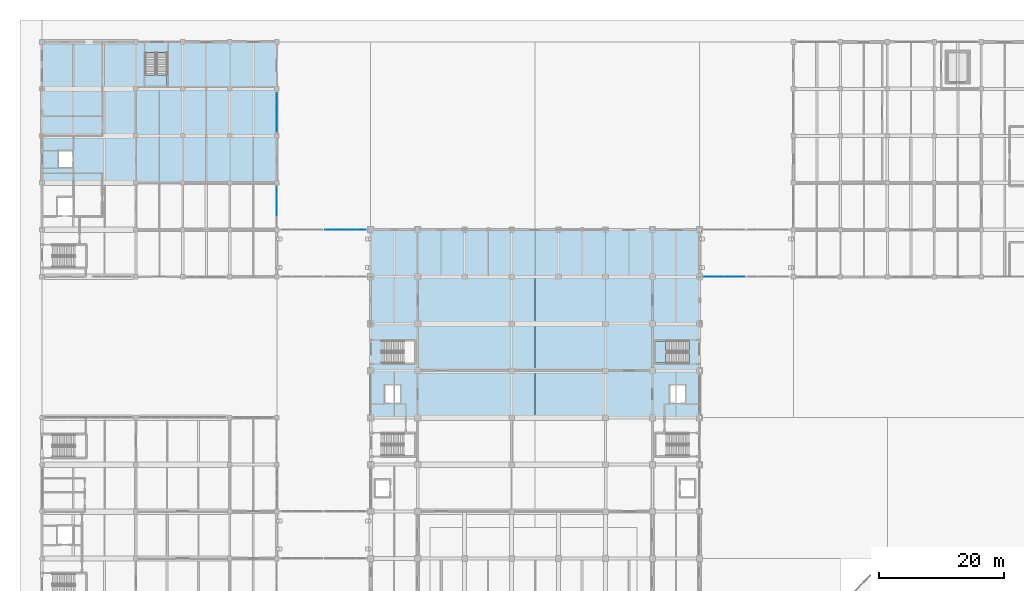
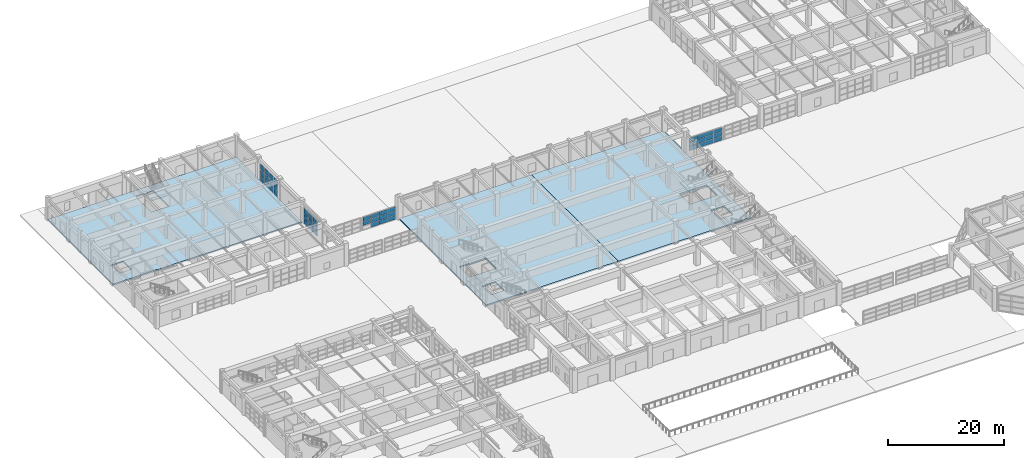
# One storey, part 77 of 122: 44 plates, 5 slabs, 6 elements without a shape of their own.
"""IFC4 building model written with IfcOpenShell, lengths in metres."""

import ifcopenshell
import ifcopenshell.guid

model = None  # the IFC model being written
_history = None  # IfcOwnerHistory: only IFC2X3 demands one
_inside = {}  # id of a spatial element -> (the spatial element, [elements in it])
_under = {}  # id of a project, library or spatial element -> (it, [spatial elements below it])
_declared = {}  # id of a project -> (the project, [libraries it declares])
_typed = {}  # id of a type object -> (the type object, [elements of that type])
_made_of = {}  # id of a material, layer set ... -> (it, [elements and type objects made of it])


def new_model(schema):
    """Start an empty IFC model of exactly this schema.

    Asked for "IFC4X3", IfcOpenShell would pick the latest addendum, in which some entities
    have other attributes; the version numbers below select the first issue.
    IFC2X3 requires an IfcOwnerHistory on every rooted entity: one is made here for all.
    """
    global model, _history
    if schema == "IFC4X3":
        model = ifcopenshell.file(schema_version=(4, 3, 0, 0))
    else:
        model = ifcopenshell.file(schema=schema)
    _inside.clear()
    _under.clear()
    _declared.clear()
    _typed.clear()
    _made_of.clear()
    _history = None
    if model.schema == "IFC2X3":
        org = make("IfcOrganization", Name="unknown")
        user = make(
            "IfcPersonAndOrganization",
            ThePerson=make("IfcPerson", FamilyName="unknown"),
            TheOrganization=org,
        )
        app = make(
            "IfcApplication",
            ApplicationDeveloper=org,
            Version="unknown",
            ApplicationFullName="unknown",
            ApplicationIdentifier="unknown",
        )
        _history = make(
            "IfcOwnerHistory",
            OwningUser=user,
            OwningApplication=app,
            ChangeAction="ADDED",
            CreationDate=0,
        )
    return model


def make(cls, **values):
    """One entity of the class cls with the attributes given. An attribute that is None is left unset."""
    return model.create_entity(
        cls, **{name: value for name, value in values.items() if value is not None}
    )


def rooted(cls, **values):
    """An entity with a GlobalId (a new one), such as an element, a storey or a relation."""
    return make(cls, GlobalId=ifcopenshell.guid.new(), OwnerHistory=_history, **values)


def si_unit(unit_type, name, prefix=None):
    """IfcSIUnit, for example si_unit("LENGTHUNIT", "METRE", prefix="MILLI")."""
    return make("IfcSIUnit", UnitType=unit_type, Prefix=prefix, Name=name)


def assignment(units):
    """IfcUnitAssignment: the units of a project."""
    return None if units is None else make("IfcUnitAssignment", Units=units)


def point(xyz):
    """IfcCartesianPoint."""
    return None if xyz is None else make("IfcCartesianPoint", Coordinates=xyz)


def direction(xyz):
    """IfcDirection."""
    return None if xyz is None else make("IfcDirection", DirectionRatios=xyz)


def frame(location, z_axis=None, x_axis=None):
    """IfcAxis2Placement3D, a coordinate frame: its origin and axes. An axis left out is left unset."""
    return make(
        "IfcAxis2Placement3D",
        Location=point(location),
        Axis=direction(z_axis),
        RefDirection=direction(x_axis),
    )


def frame_2d(location, x_axis=None):
    """IfcAxis2Placement2D, a coordinate frame in the plane: its origin and x axis."""
    return make(
        "IfcAxis2Placement2D", Location=point(location), RefDirection=direction(x_axis)
    )


def origin():
    """The frame at (0, 0, 0) with its axes left unset."""
    return frame((0.0, 0.0, 0.0))


def origin_2d():
    """The frame at (0, 0) in the plane with its x axis left unset."""
    return frame_2d((0.0, 0.0))


def place(relative_to, where):
    """IfcLocalPlacement: puts the frame where relative to a parent placement (None: the world)."""
    return make(
        "IfcLocalPlacement", PlacementRelTo=relative_to, RelativePlacement=where
    )


def context(
    kind, dimensions, precision=None, world=None, true_north=None, identifier=None
):
    """IfcGeometricRepresentationContext, for example the 3D "Model" context."""
    return make(
        "IfcGeometricRepresentationContext",
        ContextIdentifier=identifier,
        ContextType=kind,
        CoordinateSpaceDimension=dimensions,
        Precision=precision,
        WorldCoordinateSystem=world,
        TrueNorth=true_north,
    )


def subcontext(parent, identifier, kind, view, scale=None):
    """IfcGeometricRepresentationSubContext, for example "Body" below "Model"."""
    return make(
        "IfcGeometricRepresentationSubContext",
        ContextIdentifier=identifier,
        ContextType=kind,
        ParentContext=parent,
        TargetScale=scale,
        TargetView=view,
    )


def project(units=None, contexts=None):
    """IfcProject with its units and contexts."""
    return rooted(
        "IfcProject",
        Name="project",
        RepresentationContexts=contexts,
        UnitsInContext=assignment(units),
    )


def spatial(cls, under=None, at=None, **own):
    """A site, building, storey or space (cls), placed at a placement, below another one or the project."""
    s = rooted(cls, ObjectPlacement=at, **own)
    if under is not None:
        _under.setdefault(under.id(), (under, []))[1].append(s)
    return s


def polyline(points):
    """IfcPolyline through the points."""
    return make("IfcPolyline", Points=[point(p) for p in points])


def profile(cls, at=None, kind="AREA", **sizes):
    """A parametric profile (cls). Its sizes go by their IFC names, for example OverallWidth=200.0."""
    return make(cls, ProfileType=kind, Position=at, **sizes)


def rectangle(**sizes):
    """IfcRectangleProfileDef."""
    return profile("IfcRectangleProfileDef", **sizes)


def outline(outer, holes=None, kind="AREA"):
    """IfcArbitraryClosedProfileDef: a profile drawn as a closed curve; with holes, ...WithVoids."""
    if holes is None:
        return make("IfcArbitraryClosedProfileDef", ProfileType=kind, OuterCurve=outer)
    return make(
        "IfcArbitraryProfileDefWithVoids",
        ProfileType=kind,
        OuterCurve=outer,
        InnerCurves=holes,
    )


def extrude(swept, where, along, depth):
    """IfcExtrudedAreaSolid: the profile swept, set in the frame where, extruded along a direction by depth."""
    return make(
        "IfcExtrudedAreaSolid",
        SweptArea=swept,
        Position=where,
        ExtrudedDirection=direction(along),
        Depth=depth,
    )


def shape(context_of_items, identifier, shape_type, items):
    """IfcShapeRepresentation: the items that make up one representation, for example the "Body"."""
    return make(
        "IfcShapeRepresentation",
        ContextOfItems=context_of_items,
        RepresentationIdentifier=identifier,
        RepresentationType=shape_type,
        Items=items,
    )


def material(Name=None, Category=None):
    """IfcMaterial."""
    return make("IfcMaterial", Name=Name, Category=Category)


def layer(
    of_material, thickness, ventilated=None, Name=None, Category=None, Priority=None
):
    """IfcMaterialLayer: one layer of a wall or slab, of a material (None: an air gap)."""
    return make(
        "IfcMaterialLayer",
        Material=of_material,
        LayerThickness=thickness,
        IsVentilated=ventilated,
        Name=Name,
        Category=Category,
        Priority=Priority,
    )


def layer_set(layers, Name=None):
    """IfcMaterialLayerSet."""
    return make("IfcMaterialLayerSet", MaterialLayers=layers, LayerSetName=Name)


def made_of(thing, what):
    """Note that an element or type object is made of a material, layer set ...; save() writes the relation."""
    if what is not None:
        _made_of.setdefault(what.id(), (what, []))[1].append(thing)
    return thing


def type_object(cls, material=None, **own):
    """A type object (cls), such as IfcWallType, which elements share."""
    return made_of(rooted(cls, **own), material)


def element(
    cls,
    number,
    at=None,
    inside=None,
    cuts=None,
    type_object=None,
    material=None,
    context=None,
    identifier="Body",
    shape_type=None,
    held_by="IfcProductDefinitionShape",
    body=None,
    shapes=None,
    **own,
):
    """One element of the class cls, such as IfcWall. Its Tag is "e" and its number.

    at: its placement. inside: the storey or other place that contains it. cuts: it is an
    opening in that element (IfcRelVoidsElement). A single representation is given by context,
    identifier, shape_type and body (its items); several are given by shapes. held_by: the class
    of the entity that holds the representations. save() writes the other relations.
    """
    e = rooted(cls, Tag="e%d" % number, ObjectPlacement=at, **own)
    if body is not None:
        shapes = [shape(context, identifier, shape_type, body)]
    if shapes is not None:
        e.Representation = make(held_by, Representations=shapes)
    if inside is not None:
        _inside.setdefault(inside.id(), (inside, []))[1].append(e)
    if cuts is not None:
        rooted(
            "IfcRelVoidsElement", RelatingBuildingElement=cuts, RelatedOpeningElement=e
        )
    if type_object is not None:
        _typed.setdefault(type_object.id(), (type_object, []))[1].append(e)
    return made_of(e, material)


def aggregate(whole, parts):
    """IfcRelAggregates: a whole, such as a stair, and the parts it consists of."""
    return rooted("IfcRelAggregates", RelatingObject=whole, RelatedObjects=parts)


def save(model, path):
    """Write the relations noted so far, then the file.

    IfcRelAggregates (storeys below a building ...), IfcRelContainedInSpatialStructure (elements
    in a storey), IfcRelDefinesByType, IfcRelAssociatesMaterial and IfcRelDeclares: one each for
    every whole, place, type object, material and project.
    """
    for whole, parts in _under.values():
        aggregate(whole, parts)
    for where, things in _inside.values():
        rooted(
            "IfcRelContainedInSpatialStructure",
            RelatedElements=things,
            RelatingStructure=where,
        )
    for kind, things in _typed.values():
        rooted("IfcRelDefinesByType", RelatedObjects=things, RelatingType=kind)
    for what, things in _made_of.values():
        rooted("IfcRelAssociatesMaterial", RelatedObjects=things, RelatingMaterial=what)
    for by, libraries in _declared.values():
        rooted("IfcRelDeclares", RelatingContext=by, RelatedDefinitions=libraries)
    model.write(path)


model = new_model("IFC4")

# Units and contexts
model_context = context("Model", 3, precision=1e-05, world=origin(), true_north=direction((0.0, 1.0)))
body_context = subcontext(model_context, "Body", "Model", "MODEL_VIEW")
ifc_project = project(units=[si_unit("LENGTHUNIT", "METRE"), si_unit("AREAUNIT", "SQUARE_METRE"), si_unit("VOLUMEUNIT", "CUBIC_METRE"), si_unit("PLANEANGLEUNIT", "RADIAN"), si_unit("MASSUNIT", "GRAM", prefix="KILO")], contexts=[model_context])

# Site, building, storey
site_placement = place(None, origin())
site = spatial("IfcSite", under=ifc_project, at=site_placement, CompositionType="ELEMENT")
building_placement = place(site_placement, origin())
building = spatial("IfcBuilding", under=site, at=building_placement, Name="Qasida Concert Hall", CompositionType="ELEMENT")
storey_placement = place(building_placement, origin())
storey = spatial("IfcBuildingStorey", under=building, at=storey_placement, Name="L00", CompositionType="ELEMENT", Elevation=0.0)

# Curtain wall, plates
ifc_material_1 = material(Name="Architectural bronze-anodized aluminium and low-E glass", Category="aluminium")
curtain_wall_type = type_object("IfcCurtainWallType", Name="CW-08", PredefinedType="NOTDEFINED", material=ifc_material_1)
curtain_wall_1_placement = place(storey_placement, origin())
curtain_wall_1 = element("IfcCurtainWall", 1, at=curtain_wall_1_placement, inside=storey, type_object=curtain_wall_type, Name="L00 curtain wall CW-08 0182", PredefinedType="NOTDEFINED")
ifc_material_2 = material(Name="Solar-control low-E double glazing", Category="glass")
ifc_layer_1 = layer(ifc_material_2, 0.02392578125, Name="Solar-control low-E double glazing")
ifc_layer_set_1 = layer_set([ifc_layer_1], Name="Solar-control low-E double glazing")
plate_type = type_object("IfcPlateType", Name="PLT-CWP-5", PredefinedType="CURTAIN_PANEL", material=ifc_layer_set_1)
plate_1_placement = place(storey_placement, frame((37.5, 85.467529296875, 0.06005859375), z_axis=(0.0, 0.0, 1.0), x_axis=(0.0, 1.0, 0.0)))
plate_1 = element("IfcPlate", 2, at=plate_1_placement, type_object=plate_type, Name="CW-08 panel 2.1", PredefinedType="CURTAIN_PANEL", context=body_context, shape_type="SweptSolid", body=[
    extrude(rectangle(XDim=1.5, YDim=0.02392578125, at=origin_2d()), origin(), (0.0, 0.0, 1.0), 1.050048828125),
])
plate_2_placement = place(storey_placement, frame((37.5, 85.467529296875, 1.169921875), z_axis=(0.0, 0.0, 1.0), x_axis=(0.0, 1.0, 0.0)))
plate_2 = element("IfcPlate", 3, at=plate_2_placement, type_object=plate_type, Name="CW-08 panel 2.2", PredefinedType="CURTAIN_PANEL", context=body_context, shape_type="SweptSolid", body=[
    extrude(rectangle(XDim=1.5, YDim=0.02392578125, at=origin_2d()), origin(), (0.0, 0.0, 1.0), 1.080078125),
])
plate_3_placement = place(storey_placement, frame((37.5, 85.467529296875, 2.31005859375), z_axis=(0.0, 0.0, 1.0), x_axis=(0.0, 1.0, 0.0)))
plate_3 = element("IfcPlate", 4, at=plate_3_placement, type_object=plate_type, Name="CW-08 panel 2.3", PredefinedType="CURTAIN_PANEL", context=body_context, shape_type="SweptSolid", body=[
    extrude(rectangle(XDim=1.5, YDim=0.02392578125, at=origin_2d()), origin(), (0.0, 0.0, 1.0), 1.050048828125),
])
plate_4_placement = place(storey_placement, frame((37.5, 87.032470703125, 0.06005859375), z_axis=(0.0, 0.0, 1.0), x_axis=(0.0, 1.0, 0.0)))
plate_4 = element("IfcPlate", 5, at=plate_4_placement, type_object=plate_type, Name="CW-08 panel 3.1", PredefinedType="CURTAIN_PANEL", context=body_context, shape_type="SweptSolid", body=[
    extrude(rectangle(XDim=1.5, YDim=0.02392578125, at=origin_2d()), origin(), (0.0, 0.0, 1.0), 1.050048828125),
])
plate_5_placement = place(storey_placement, frame((37.5, 87.032470703125, 1.169921875), z_axis=(0.0, 0.0, 1.0), x_axis=(0.0, 1.0, 0.0)))
plate_5 = element("IfcPlate", 6, at=plate_5_placement, type_object=plate_type, Name="CW-08 panel 3.2", PredefinedType="CURTAIN_PANEL", context=body_context, shape_type="SweptSolid", body=[
    extrude(rectangle(XDim=1.5, YDim=0.02392578125, at=origin_2d()), origin(), (0.0, 0.0, 1.0), 1.080078125),
])
plate_6_placement = place(storey_placement, frame((37.5, 87.032470703125, 2.31005859375), z_axis=(0.0, 0.0, 1.0), x_axis=(0.0, 1.0, 0.0)))
plate_6 = element("IfcPlate", 7, at=plate_6_placement, type_object=plate_type, Name="CW-08 panel 3.3", PredefinedType="CURTAIN_PANEL", context=body_context, shape_type="SweptSolid", body=[
    extrude(rectangle(XDim=1.5, YDim=0.02392578125, at=origin_2d()), origin(), (0.0, 0.0, 1.0), 1.050048828125),
])
plate_7_placement = place(storey_placement, frame((37.5, 88.581298828125, 0.06005859375), z_axis=(0.0, 0.0, 1.0), x_axis=(0.0, 1.0, 0.0)))
plate_7 = element("IfcPlate", 8, at=plate_7_placement, type_object=plate_type, Name="CW-08 panel 4.1", PredefinedType="CURTAIN_PANEL", context=body_context, shape_type="SweptSolid", body=[
    extrude(rectangle(XDim=1.467529296875, YDim=0.02392578125, at=origin_2d()), origin(), (0.0, 0.0, 1.0), 1.050048828125),
])
plate_8_placement = place(storey_placement, frame((37.5, 88.581298828125, 1.169921875), z_axis=(0.0, 0.0, 1.0), x_axis=(0.0, 1.0, 0.0)))
plate_8 = element("IfcPlate", 9, at=plate_8_placement, type_object=plate_type, Name="CW-08 panel 4.2", PredefinedType="CURTAIN_PANEL", context=body_context, shape_type="SweptSolid", body=[
    extrude(rectangle(XDim=1.467529296875, YDim=0.02392578125, at=origin_2d()), origin(), (0.0, 0.0, 1.0), 1.080078125),
])
plate_9_placement = place(storey_placement, frame((37.5, 88.581298828125, 2.31005859375), z_axis=(0.0, 0.0, 1.0), x_axis=(0.0, 1.0, 0.0)))
plate_9 = element("IfcPlate", 10, at=plate_9_placement, type_object=plate_type, Name="CW-08 panel 4.3", PredefinedType="CURTAIN_PANEL", context=body_context, shape_type="SweptSolid", body=[
    extrude(rectangle(XDim=1.467529296875, YDim=0.02392578125, at=origin_2d()), origin(), (0.0, 0.0, 1.0), 1.050048828125),
])
aggregate(curtain_wall_1, [plate_1, plate_2, plate_3, plate_4, plate_5, plate_6, plate_7, plate_8, plate_9])

curtain_wall_2_placement = place(storey_placement, origin())
curtain_wall_2 = element("IfcCurtainWall", 11, at=curtain_wall_2_placement, inside=storey, type_object=curtain_wall_type, Name="L00 curtain wall CW-08 0183", PredefinedType="NOTDEFINED")
plate_10_placement = place(storey_placement, frame((37.5, 98.918701171875, 0.06005859375), z_axis=(0.0, 0.0, 1.0), x_axis=(0.0, 1.0, 0.0)))
plate_10 = element("IfcPlate", 12, at=plate_10_placement, type_object=plate_type, Name="CW-08 panel 1.1", PredefinedType="CURTAIN_PANEL", context=body_context, shape_type="SweptSolid", body=[
    extrude(rectangle(XDim=1.467529296875, YDim=0.02392578125, at=origin_2d()), origin(), (0.0, 0.0, 1.0), 1.11669921875),
])
plate_11_placement = place(storey_placement, frame((37.5, 98.918701171875, 1.23681640625), z_axis=(0.0, 0.0, 1.0), x_axis=(0.0, 1.0, 0.0)))
plate_11 = element("IfcPlate", 13, at=plate_11_placement, type_object=plate_type, Name="CW-08 panel 1.2", PredefinedType="CURTAIN_PANEL", context=body_context, shape_type="SweptSolid", body=[
    extrude(rectangle(XDim=1.467529296875, YDim=0.02392578125, at=origin_2d()), origin(), (0.0, 0.0, 1.0), 1.146484375),
])
plate_12_placement = place(storey_placement, frame((37.5, 98.918701171875, 2.443359375), z_axis=(0.0, 0.0, 1.0), x_axis=(0.0, 1.0, 0.0)))
plate_12 = element("IfcPlate", 14, at=plate_12_placement, type_object=plate_type, Name="CW-08 panel 1.3", PredefinedType="CURTAIN_PANEL", context=body_context, shape_type="SweptSolid", body=[
    extrude(rectangle(XDim=1.467529296875, YDim=0.02392578125, at=origin_2d()), origin(), (0.0, 0.0, 1.0), 1.11669921875),
])
plate_13_placement = place(storey_placement, frame((37.5, 100.467529296875, 0.06005859375), z_axis=(0.0, 0.0, 1.0), x_axis=(0.0, 1.0, 0.0)))
plate_13 = element("IfcPlate", 15, at=plate_13_placement, type_object=plate_type, Name="CW-08 panel 2.1", PredefinedType="CURTAIN_PANEL", context=body_context, shape_type="SweptSolid", body=[
    extrude(rectangle(XDim=1.5, YDim=0.02392578125, at=origin_2d()), origin(), (0.0, 0.0, 1.0), 1.11669921875),
])
plate_14_placement = place(storey_placement, frame((37.5, 100.467529296875, 1.23681640625), z_axis=(0.0, 0.0, 1.0), x_axis=(0.0, 1.0, 0.0)))
plate_14 = element("IfcPlate", 16, at=plate_14_placement, type_object=plate_type, Name="CW-08 panel 2.2", PredefinedType="CURTAIN_PANEL", context=body_context, shape_type="SweptSolid", body=[
    extrude(rectangle(XDim=1.5, YDim=0.02392578125, at=origin_2d()), origin(), (0.0, 0.0, 1.0), 1.146484375),
])
plate_15_placement = place(storey_placement, frame((37.5, 100.467529296875, 2.443359375), z_axis=(0.0, 0.0, 1.0), x_axis=(0.0, 1.0, 0.0)))
plate_15 = element("IfcPlate", 17, at=plate_15_placement, type_object=plate_type, Name="CW-08 panel 2.3", PredefinedType="CURTAIN_PANEL", context=body_context, shape_type="SweptSolid", body=[
    extrude(rectangle(XDim=1.5, YDim=0.02392578125, at=origin_2d()), origin(), (0.0, 0.0, 1.0), 1.11669921875),
])
plate_16_placement = place(storey_placement, frame((37.5, 102.032470703125, 0.06005859375), z_axis=(0.0, 0.0, 1.0), x_axis=(0.0, 1.0, 0.0)))
plate_16 = element("IfcPlate", 18, at=plate_16_placement, type_object=plate_type, Name="CW-08 panel 3.1", PredefinedType="CURTAIN_PANEL", context=body_context, shape_type="SweptSolid", body=[
    extrude(rectangle(XDim=1.5, YDim=0.02392578125, at=origin_2d()), origin(), (0.0, 0.0, 1.0), 1.11669921875),
])
plate_17_placement = place(storey_placement, frame((37.5, 102.032470703125, 1.23681640625), z_axis=(0.0, 0.0, 1.0), x_axis=(0.0, 1.0, 0.0)))
plate_17 = element("IfcPlate", 19, at=plate_17_placement, type_object=plate_type, Name="CW-08 panel 3.2", PredefinedType="CURTAIN_PANEL", context=body_context, shape_type="SweptSolid", body=[
    extrude(rectangle(XDim=1.5, YDim=0.02392578125, at=origin_2d()), origin(), (0.0, 0.0, 1.0), 1.146484375),
])
plate_18_placement = place(storey_placement, frame((37.5, 102.032470703125, 2.443359375), z_axis=(0.0, 0.0, 1.0), x_axis=(0.0, 1.0, 0.0)))
plate_18 = element("IfcPlate", 20, at=plate_18_placement, type_object=plate_type, Name="CW-08 panel 3.3", PredefinedType="CURTAIN_PANEL", context=body_context, shape_type="SweptSolid", body=[
    extrude(rectangle(XDim=1.5, YDim=0.02392578125, at=origin_2d()), origin(), (0.0, 0.0, 1.0), 1.11669921875),
])
plate_19_placement = place(storey_placement, frame((37.5, 103.581298828125, 0.06005859375), z_axis=(0.0, 0.0, 1.0), x_axis=(0.0, 1.0, 0.0)))
plate_19 = element("IfcPlate", 21, at=plate_19_placement, type_object=plate_type, Name="CW-08 panel 4.1", PredefinedType="CURTAIN_PANEL", context=body_context, shape_type="SweptSolid", body=[
    extrude(rectangle(XDim=1.467529296875, YDim=0.02392578125, at=origin_2d()), origin(), (0.0, 0.0, 1.0), 1.11669921875),
])
plate_20_placement = place(storey_placement, frame((37.5, 103.581298828125, 1.23681640625), z_axis=(0.0, 0.0, 1.0), x_axis=(0.0, 1.0, 0.0)))
plate_20 = element("IfcPlate", 22, at=plate_20_placement, type_object=plate_type, Name="CW-08 panel 4.2", PredefinedType="CURTAIN_PANEL", context=body_context, shape_type="SweptSolid", body=[
    extrude(rectangle(XDim=1.467529296875, YDim=0.02392578125, at=origin_2d()), origin(), (0.0, 0.0, 1.0), 1.146484375),
])
plate_21_placement = place(storey_placement, frame((37.5, 103.581298828125, 2.443359375), z_axis=(0.0, 0.0, 1.0), x_axis=(0.0, 1.0, 0.0)))
plate_21 = element("IfcPlate", 23, at=plate_21_placement, type_object=plate_type, Name="CW-08 panel 4.3", PredefinedType="CURTAIN_PANEL", context=body_context, shape_type="SweptSolid", body=[
    extrude(rectangle(XDim=1.467529296875, YDim=0.02392578125, at=origin_2d()), origin(), (0.0, 0.0, 1.0), 1.11669921875),
])
aggregate(curtain_wall_2, [plate_10, plate_11, plate_12, plate_13, plate_14, plate_15, plate_16, plate_17, plate_18, plate_19, plate_20, plate_21])

curtain_wall_3_placement = place(storey_placement, origin())
curtain_wall_3 = element("IfcCurtainWall", 24, at=curtain_wall_3_placement, inside=storey, type_object=curtain_wall_type, Name="L00 link bridge glazing 0213", PredefinedType="NOTDEFINED")
plate_22_placement = place(storey_placement, frame((46.041259765625, 82.5, 0.97998046875), z_axis=(0.0, 0.0, 1.0), x_axis=(1.0, 0.0, 0.0)))
plate_22 = element("IfcPlate", 25, at=plate_22_placement, type_object=plate_type, Name="CW-08 panel 1.2", PredefinedType="CURTAIN_PANEL", context=body_context, shape_type="SweptSolid", body=[
    extrude(rectangle(XDim=1.552490234375, YDim=0.02392578125, at=origin_2d()), origin(), (0.0, 0.0, 1.0), 0.889892578125),
])
plate_23_placement = place(storey_placement, frame((46.041259765625, 82.5, 1.929931640625), z_axis=(0.0, 0.0, 1.0), x_axis=(1.0, 0.0, 0.0)))
plate_23 = element("IfcPlate", 26, at=plate_23_placement, type_object=plate_type, Name="CW-08 panel 1.3", PredefinedType="CURTAIN_PANEL", context=body_context, shape_type="SweptSolid", body=[
    extrude(rectangle(XDim=1.552490234375, YDim=0.02392578125, at=origin_2d()), origin(), (0.0, 0.0, 1.0), 0.81005859375),
])
plate_24_placement = place(storey_placement, frame((47.675048828125, 82.5, 0.06005859375), z_axis=(0.0, 0.0, 1.0), x_axis=(1.0, 0.0, 0.0)))
plate_24 = element("IfcPlate", 27, at=plate_24_placement, type_object=plate_type, Name="CW-08 panel 2.1", PredefinedType="CURTAIN_PANEL", context=body_context, shape_type="SweptSolid", body=[
    extrude(rectangle(XDim=1.5849609375, YDim=0.02392578125, at=origin_2d()), origin(), (0.0, 0.0, 1.0), 0.860107421875),
])
plate_25_placement = place(storey_placement, frame((47.675048828125, 82.5, 0.97998046875), z_axis=(0.0, 0.0, 1.0), x_axis=(1.0, 0.0, 0.0)))
plate_25 = element("IfcPlate", 28, at=plate_25_placement, type_object=plate_type, Name="CW-08 panel 2.2", PredefinedType="CURTAIN_PANEL", context=body_context, shape_type="SweptSolid", body=[
    extrude(rectangle(XDim=1.5849609375, YDim=0.02392578125, at=origin_2d()), origin(), (0.0, 0.0, 1.0), 0.889892578125),
])
plate_26_placement = place(storey_placement, frame((47.675048828125, 82.5, 1.929931640625), z_axis=(0.0, 0.0, 1.0), x_axis=(1.0, 0.0, 0.0)))
plate_26 = element("IfcPlate", 29, at=plate_26_placement, type_object=plate_type, Name="CW-08 panel 2.3", PredefinedType="CURTAIN_PANEL", context=body_context, shape_type="SweptSolid", body=[
    extrude(rectangle(XDim=1.5849609375, YDim=0.02392578125, at=origin_2d()), origin(), (0.0, 0.0, 1.0), 0.81005859375),
])
plate_27_placement = place(storey_placement, frame((49.324951171875, 82.5, 0.06005859375), z_axis=(0.0, 0.0, 1.0), x_axis=(1.0, 0.0, 0.0)))
plate_27 = element("IfcPlate", 30, at=plate_27_placement, type_object=plate_type, Name="CW-08 panel 3.1", PredefinedType="CURTAIN_PANEL", context=body_context, shape_type="SweptSolid", body=[
    extrude(rectangle(XDim=1.5849609375, YDim=0.02392578125, at=origin_2d()), origin(), (0.0, 0.0, 1.0), 0.860107421875),
])
plate_28_placement = place(storey_placement, frame((49.324951171875, 82.5, 0.97998046875), z_axis=(0.0, 0.0, 1.0), x_axis=(1.0, 0.0, 0.0)))
plate_28 = element("IfcPlate", 31, at=plate_28_placement, type_object=plate_type, Name="CW-08 panel 3.2", PredefinedType="CURTAIN_PANEL", context=body_context, shape_type="SweptSolid", body=[
    extrude(rectangle(XDim=1.5849609375, YDim=0.02392578125, at=origin_2d()), origin(), (0.0, 0.0, 1.0), 0.889892578125),
])
plate_29_placement = place(storey_placement, frame((49.324951171875, 82.5, 1.929931640625), z_axis=(0.0, 0.0, 1.0), x_axis=(1.0, 0.0, 0.0)))
plate_29 = element("IfcPlate", 32, at=plate_29_placement, type_object=plate_type, Name="CW-08 panel 3.3", PredefinedType="CURTAIN_PANEL", context=body_context, shape_type="SweptSolid", body=[
    extrude(rectangle(XDim=1.5849609375, YDim=0.02392578125, at=origin_2d()), origin(), (0.0, 0.0, 1.0), 0.81005859375),
])
plate_30_placement = place(storey_placement, frame((50.958740234375, 82.5, 0.06005859375), z_axis=(0.0, 0.0, 1.0), x_axis=(1.0, 0.0, 0.0)))
plate_30 = element("IfcPlate", 33, at=plate_30_placement, type_object=plate_type, Name="CW-08 panel 4.1", PredefinedType="CURTAIN_PANEL", context=body_context, shape_type="SweptSolid", body=[
    extrude(rectangle(XDim=1.552490234375, YDim=0.02392578125, at=origin_2d()), origin(), (0.0, 0.0, 1.0), 0.860107421875),
])
plate_31_placement = place(storey_placement, frame((50.958740234375, 82.5, 0.97998046875), z_axis=(0.0, 0.0, 1.0), x_axis=(1.0, 0.0, 0.0)))
plate_31 = element("IfcPlate", 34, at=plate_31_placement, type_object=plate_type, Name="CW-08 panel 4.2", PredefinedType="CURTAIN_PANEL", context=body_context, shape_type="SweptSolid", body=[
    extrude(rectangle(XDim=1.552490234375, YDim=0.02392578125, at=origin_2d()), origin(), (0.0, 0.0, 1.0), 0.889892578125),
])
plate_32_placement = place(storey_placement, frame((50.958740234375, 82.5, 1.929931640625), z_axis=(0.0, 0.0, 1.0), x_axis=(1.0, 0.0, 0.0)))
plate_32 = element("IfcPlate", 35, at=plate_32_placement, type_object=plate_type, Name="CW-08 panel 4.3", PredefinedType="CURTAIN_PANEL", context=body_context, shape_type="SweptSolid", body=[
    extrude(rectangle(XDim=1.552490234375, YDim=0.02392578125, at=origin_2d()), origin(), (0.0, 0.0, 1.0), 0.81005859375),
])
aggregate(curtain_wall_3, [plate_22, plate_23, plate_24, plate_25, plate_26, plate_27, plate_28, plate_29, plate_30, plate_31, plate_32])

curtain_wall_4_placement = place(storey_placement, origin())
curtain_wall_4 = element("IfcCurtainWall", 36, at=curtain_wall_4_placement, inside=storey, type_object=curtain_wall_type, Name="L00 link bridge glazing 0222", PredefinedType="NOTDEFINED")
plate_33_placement = place(storey_placement, frame((106.541259765625, 75.0, 0.06005859375), z_axis=(0.0, 0.0, 1.0), x_axis=(1.0, 0.0, 0.0)))
plate_33 = element("IfcPlate", 37, at=plate_33_placement, type_object=plate_type, Name="CW-08 panel 1.1", PredefinedType="CURTAIN_PANEL", context=body_context, shape_type="SweptSolid", body=[
    extrude(rectangle(XDim=1.552490234375, YDim=0.02392578125, at=origin_2d()), origin(), (0.0, 0.0, 1.0), 0.860107421875),
])
plate_34_placement = place(storey_placement, frame((106.541259765625, 75.0, 0.97998046875), z_axis=(0.0, 0.0, 1.0), x_axis=(1.0, 0.0, 0.0)))
plate_34 = element("IfcPlate", 38, at=plate_34_placement, type_object=plate_type, Name="CW-08 panel 1.2", PredefinedType="CURTAIN_PANEL", context=body_context, shape_type="SweptSolid", body=[
    extrude(rectangle(XDim=1.552490234375, YDim=0.02392578125, at=origin_2d()), origin(), (0.0, 0.0, 1.0), 0.889892578125),
])
plate_35_placement = place(storey_placement, frame((106.541259765625, 75.0, 1.929931640625), z_axis=(0.0, 0.0, 1.0), x_axis=(1.0, 0.0, 0.0)))
plate_35 = element("IfcPlate", 39, at=plate_35_placement, type_object=plate_type, Name="CW-08 panel 1.3", PredefinedType="CURTAIN_PANEL", context=body_context, shape_type="SweptSolid", body=[
    extrude(rectangle(XDim=1.552490234375, YDim=0.02392578125, at=origin_2d()), origin(), (0.0, 0.0, 1.0), 0.81005859375),
])
plate_36_placement = place(storey_placement, frame((108.175048828125, 75.0, 0.06005859375), z_axis=(0.0, 0.0, 1.0), x_axis=(1.0, 0.0, 0.0)))
plate_36 = element("IfcPlate", 40, at=plate_36_placement, type_object=plate_type, Name="CW-08 panel 2.1", PredefinedType="CURTAIN_PANEL", context=body_context, shape_type="SweptSolid", body=[
    extrude(rectangle(XDim=1.5849609375, YDim=0.02392578125, at=origin_2d()), origin(), (0.0, 0.0, 1.0), 0.860107421875),
])
plate_37_placement = place(storey_placement, frame((108.175048828125, 75.0, 0.97998046875), z_axis=(0.0, 0.0, 1.0), x_axis=(1.0, 0.0, 0.0)))
plate_37 = element("IfcPlate", 41, at=plate_37_placement, type_object=plate_type, Name="CW-08 panel 2.2", PredefinedType="CURTAIN_PANEL", context=body_context, shape_type="SweptSolid", body=[
    extrude(rectangle(XDim=1.5849609375, YDim=0.02392578125, at=origin_2d()), origin(), (0.0, 0.0, 1.0), 0.889892578125),
])
plate_38_placement = place(storey_placement, frame((108.175048828125, 75.0, 1.929931640625), z_axis=(0.0, 0.0, 1.0), x_axis=(1.0, 0.0, 0.0)))
plate_38 = element("IfcPlate", 42, at=plate_38_placement, type_object=plate_type, Name="CW-08 panel 2.3", PredefinedType="CURTAIN_PANEL", context=body_context, shape_type="SweptSolid", body=[
    extrude(rectangle(XDim=1.5849609375, YDim=0.02392578125, at=origin_2d()), origin(), (0.0, 0.0, 1.0), 0.81005859375),
])
plate_39_placement = place(storey_placement, frame((109.824951171875, 75.0, 0.06005859375), z_axis=(0.0, 0.0, 1.0), x_axis=(1.0, 0.0, 0.0)))
plate_39 = element("IfcPlate", 43, at=plate_39_placement, type_object=plate_type, Name="CW-08 panel 3.1", PredefinedType="CURTAIN_PANEL", context=body_context, shape_type="SweptSolid", body=[
    extrude(rectangle(XDim=1.5849609375, YDim=0.02392578125, at=origin_2d()), origin(), (0.0, 0.0, 1.0), 0.860107421875),
])
plate_40_placement = place(storey_placement, frame((109.824951171875, 75.0, 0.97998046875), z_axis=(0.0, 0.0, 1.0), x_axis=(1.0, 0.0, 0.0)))
plate_40 = element("IfcPlate", 44, at=plate_40_placement, type_object=plate_type, Name="CW-08 panel 3.2", PredefinedType="CURTAIN_PANEL", context=body_context, shape_type="SweptSolid", body=[
    extrude(rectangle(XDim=1.5849609375, YDim=0.02392578125, at=origin_2d()), origin(), (0.0, 0.0, 1.0), 0.889892578125),
])
plate_41_placement = place(storey_placement, frame((109.824951171875, 75.0, 1.929931640625), z_axis=(0.0, 0.0, 1.0), x_axis=(1.0, 0.0, 0.0)))
plate_41 = element("IfcPlate", 45, at=plate_41_placement, type_object=plate_type, Name="CW-08 panel 3.3", PredefinedType="CURTAIN_PANEL", context=body_context, shape_type="SweptSolid", body=[
    extrude(rectangle(XDim=1.5849609375, YDim=0.02392578125, at=origin_2d()), origin(), (0.0, 0.0, 1.0), 0.81005859375),
])
plate_42_placement = place(storey_placement, frame((111.458740234375, 75.0, 0.06005859375), z_axis=(0.0, 0.0, 1.0), x_axis=(1.0, 0.0, 0.0)))
plate_42 = element("IfcPlate", 46, at=plate_42_placement, type_object=plate_type, Name="CW-08 panel 4.1", PredefinedType="CURTAIN_PANEL", context=body_context, shape_type="SweptSolid", body=[
    extrude(rectangle(XDim=1.552490234375, YDim=0.02392578125, at=origin_2d()), origin(), (0.0, 0.0, 1.0), 0.860107421875),
])
plate_43_placement = place(storey_placement, frame((111.458740234375, 75.0, 0.97998046875), z_axis=(0.0, 0.0, 1.0), x_axis=(1.0, 0.0, 0.0)))
plate_43 = element("IfcPlate", 47, at=plate_43_placement, type_object=plate_type, Name="CW-08 panel 4.2", PredefinedType="CURTAIN_PANEL", context=body_context, shape_type="SweptSolid", body=[
    extrude(rectangle(XDim=1.552490234375, YDim=0.02392578125, at=origin_2d()), origin(), (0.0, 0.0, 1.0), 0.889892578125),
])
plate_44_placement = place(storey_placement, frame((111.458740234375, 75.0, 1.929931640625), z_axis=(0.0, 0.0, 1.0), x_axis=(1.0, 0.0, 0.0)))
plate_44 = element("IfcPlate", 48, at=plate_44_placement, type_object=plate_type, Name="CW-08 panel 4.3", PredefinedType="CURTAIN_PANEL", context=body_context, shape_type="SweptSolid", body=[
    extrude(rectangle(XDim=1.552490234375, YDim=0.02392578125, at=origin_2d()), origin(), (0.0, 0.0, 1.0), 0.81005859375),
])
aggregate(curtain_wall_4, [plate_33, plate_34, plate_35, plate_36, plate_37, plate_38, plate_39, plate_40, plate_41, plate_42, plate_43, plate_44])

# Slabs
ifc_material_3 = material(Name="Concrete C40/50", Category="concrete")
ifc_layer_2 = layer(ifc_material_3, 0.280029296875, Name="Concrete C40/50")
ifc_layer_set_2 = layer_set([ifc_layer_2], Name="Concrete C40/50")
slab_type_1 = type_object("IfcSlabType", Name="SL-FS-280", PredefinedType="FLOOR", material=ifc_layer_set_2)
slab_1_placement = place(storey_placement, frame((0.0, 0.0, -0.280029296875)))
element("IfcSlab", 49, at=slab_1_placement, inside=storey, type_object=slab_type_1, Name="V1 ground north-west (FS-280)", PredefinedType="FLOOR", context=body_context, shape_type="SweptSolid", body=[
    extrude(outline(polyline([(52.5, 52.5), (78.75, 52.5), (78.75, 82.5), (52.5, 82.5), (52.5, 52.5)]), holes=[polyline([(54.699951171875, 54.75), (57.300048828125, 54.75), (57.300048828125, 57.75), (54.699951171875, 57.75), (54.699951171875, 54.75)]), polyline([(54.18994140625, 61.199951171875), (59.52001953125, 61.199951171875), (59.52001953125, 64.760009765625), (54.18994140625, 64.760009765625), (54.18994140625, 61.199951171875)])]), origin(), (0.0, 0.0, 1.0), 0.280029296875),
])
slab_2_placement = place(storey_placement, frame((0.0, 0.0, -0.280029296875)))
element("IfcSlab", 50, at=slab_2_placement, inside=storey, type_object=slab_type_1, Name="V1 ground north-east (FS-280)", PredefinedType="FLOOR", context=body_context, shape_type="SweptSolid", body=[
    extrude(outline(polyline([(78.75, 52.5), (105.0, 52.5), (105.0, 82.5), (78.75, 82.5), (78.75, 52.5)]), holes=[polyline([(100.199951171875, 54.75), (102.800048828125, 54.75), (102.800048828125, 57.75), (100.199951171875, 57.75), (100.199951171875, 54.75)]), polyline([(97.97998046875, 61.199951171875), (103.31005859375, 61.199951171875), (103.31005859375, 64.760009765625), (97.97998046875, 64.760009765625), (97.97998046875, 61.199951171875)])]), origin(), (0.0, 0.0, 1.0), 0.280029296875),
])
slab_3_placement = place(storey_placement, frame((0.0, 0.0, -0.280029296875)))
element("IfcSlab", 51, at=slab_3_placement, inside=storey, type_object=slab_type_1, Name="V5 artists reception north (FS-280)", PredefinedType="FLOOR", context=body_context, shape_type="SweptSolid", body=[
    extrude(outline(polyline([(0.0, 90.0), (37.5, 90.0), (37.5, 112.5), (0.0, 112.5), (0.0, 90.0)]), holes=[polyline([(2.550048828125, 92.35009765625), (4.949951171875, 92.35009765625), (4.949951171875, 95.14990234375), (2.550048828125, 95.14990234375), (2.550048828125, 92.35009765625)]), polyline([(16.5, 105.47998046875), (20.0, 105.47998046875), (20.0, 110.840087890625), (16.5, 110.840087890625), (16.5, 105.47998046875)])]), origin(), (0.0, 0.0, 1.0), 0.280029296875),
])

# Stair, slab
stair_type_1 = type_object("IfcStairType", Name="ST-DL-165", PredefinedType="HALF_TURN_STAIR", material=ifc_material_3)
stair_1_placement = place(storey_placement, origin())
stair_1 = element("IfcStair", 52, at=stair_1_placement, inside=storey, type_object=stair_type_1, Name="L00 Exit stair ST-06", PredefinedType="HALF_TURN_STAIR")
ifc_layer_3 = layer(ifc_material_3, 0.199951171875, Name="Concrete C40/50")
ifc_layer_set_3 = layer_set([ifc_layer_3], Name="Concrete C40/50")
slab_type_2 = type_object("IfcSlabType", Name="SL-LND-200", PredefinedType="LANDING", material=ifc_layer_set_3)
slab_4_placement = place(storey_placement, frame((0.0, 0.0, 2.199951171875)))
slab_4 = element("IfcSlab", 53, at=slab_4_placement, type_object=slab_type_2, Name="ST-06 landing 1", PredefinedType="LANDING", context=body_context, shape_type="SweptSolid", body=[
    extrude(outline(polyline([(16.5, 107.2099609375), (16.5, 105.47998046875), (20.0, 105.47998046875), (20.0, 107.2099609375), (16.5, 107.2099609375)])), origin(), (0.0, 0.0, 1.0), 0.199951171875),
])
aggregate(stair_1, [slab_4])

stair_type_2 = type_object("IfcStairType", Name="ST-DL-168", PredefinedType="HALF_TURN_STAIR", material=ifc_material_3)
stair_2_placement = place(storey_placement, origin())
stair_2 = element("IfcStair", 54, at=stair_2_placement, inside=storey, type_object=stair_type_2, Name="L00 Exit stair ST-12", PredefinedType="HALF_TURN_STAIR")
slab_5_placement = place(storey_placement, frame((0.0, 0.0, 2.199951171875)))
slab_5 = element("IfcSlab", 55, at=slab_5_placement, type_object=slab_type_2, Name="ST-12 landing 1", PredefinedType="LANDING", context=body_context, shape_type="SweptSolid", body=[
    extrude(outline(polyline([(99.679931640625, 64.760009765625), (97.97998046875, 64.760009765625), (97.97998046875, 61.199951171875), (99.679931640625, 61.199951171875), (99.679931640625, 64.760009765625)])), origin(), (0.0, 0.0, 1.0), 0.199951171875),
])
aggregate(stair_2, [slab_5])

save(model, "model.ifc")
